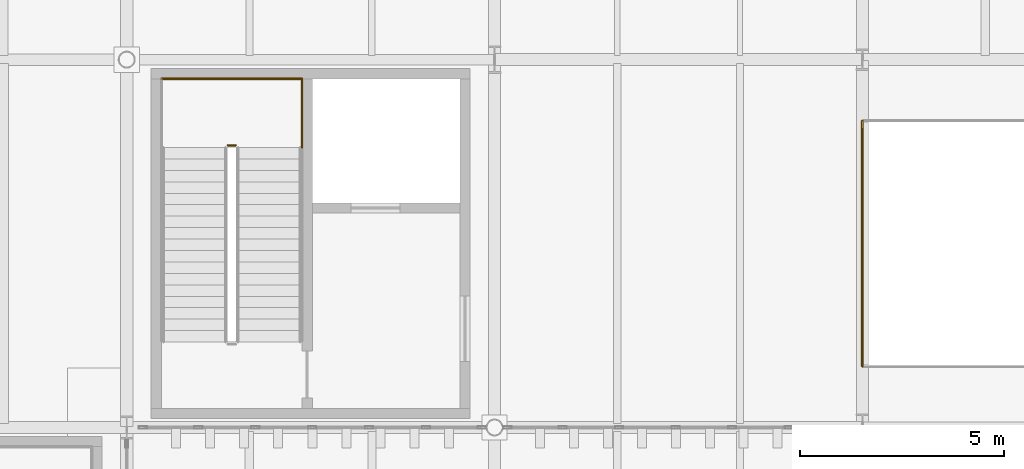
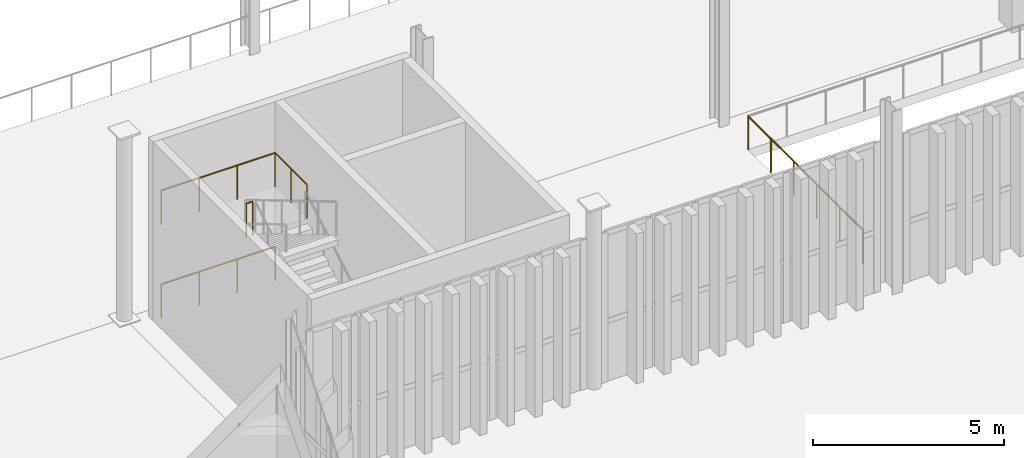
# One storey, part 194 of 211: 5 railings.
"""IFC4 building model written with IfcOpenShell, lengths in metres."""

from ifc_helpers import new_model, si_unit, direction, frame, origin, origin_2d, place, context, subcontext, project, spatial, circle, extrude, material, type_object, element, save


model = new_model("IFC4")

# Units and contexts
model_context = context("Model", 3, precision=1e-05, world=origin(), true_north=direction((0.0, 1.0)))
body_context = subcontext(model_context, "Body", "Model", "MODEL_VIEW")
ifc_project = project(units=[si_unit("LENGTHUNIT", "METRE"), si_unit("AREAUNIT", "SQUARE_METRE"), si_unit("VOLUMEUNIT", "CUBIC_METRE"), si_unit("PLANEANGLEUNIT", "RADIAN"), si_unit("MASSUNIT", "GRAM", prefix="KILO")], contexts=[model_context])

# Site, building, storey
site_placement = place(None, origin())
site = spatial("IfcSite", under=ifc_project, at=site_placement, CompositionType="ELEMENT")
building_placement = place(site_placement, origin())
building = spatial("IfcBuilding", under=site, at=building_placement, Name="Barlavento Convention Centre", CompositionType="ELEMENT")
storey_placement = place(building_placement, frame((0.0, 0.0, 6.0)))
storey = spatial("IfcBuildingStorey", under=building, at=storey_placement, Name="L01", CompositionType="ELEMENT", Elevation=6.0)

# Railings
ifc_material = material(Name="Stainless steel and laminated glass balustrade", Category="steel")
railing_type = type_object("IfcRailingType", Name="ARC-RAL-BAL-1100", PredefinedType="BALUSTRADE", material=ifc_material)
railing_1_placement = place(storey_placement, frame((65.669921875, 51.89990234375, 3.0)))
element("IfcRailing", 1, at=railing_1_placement, inside=storey, type_object=railing_type, Name="L01 ST03 stair guard 2", PredefinedType="BALUSTRADE", context=body_context, shape_type="SweptSolid", body=[
    extrude(circle(Radius=0.02392578125, at=origin_2d()), frame((0.0, 0.0, 1.076171875), z_axis=(-1.0, 0.0, 0.0), x_axis=(0.0, -1.0, 0.0)), (0.0, 0.0, 1.0), 0.199951171875),
    extrude(circle(Radius=0.02099609375, at=origin_2d()), origin(), (0.0, 0.0, 1.0), 1.052001953125),
    extrude(circle(Radius=0.02099609375, at=origin_2d()), frame((-0.199951171875, 0.0, 0.0)), (0.0, 0.0, 1.0), 1.052001953125),
])
railing_2_placement = place(storey_placement, frame((67.2900390625, 51.85009765625, 3.0)))
element("IfcRailing", 2, at=railing_2_placement, inside=storey, type_object=railing_type, Name="L01 landing guard GR01", PredefinedType="BALUSTRADE", context=body_context, shape_type="SweptSolid", body=[
    extrude(circle(Radius=0.02392578125, at=origin_2d()), frame((0.0, 0.0, 1.076171875), z_axis=(0.0, 1.0, 0.0), x_axis=(-1.0, 0.0, 0.0)), (0.0, 0.0, 1.0), 1.679931640625),
    extrude(circle(Radius=0.02099609375, at=origin_2d()), origin(), (0.0, 0.0, 1.0), 1.052001953125),
    extrude(circle(Radius=0.02099609375, at=origin_2d()), frame((0.0, 0.83984375, 0.0)), (0.0, 0.0, 1.0), 1.052001953125),
    extrude(circle(Radius=0.02099609375, at=origin_2d()), frame((0.0, 1.679931640625, 0.0)), (0.0, 0.0, 1.0), 1.052001953125),
])
for number, where, name in (
    (3, (67.2900390625, 53.530029296875, 3.0), "L01 landing guard GR01"),
    (4, (67.2900390625, 53.530029296875, 0.0), "L01 stairwell perimeter guard GR01"),
):
    element("IfcRailing", number, at=place(storey_placement, frame(where)), inside=storey, type_object=railing_type, Name=name, PredefinedType="BALUSTRADE", context=body_context, shape_type="SweptSolid", body=[
        extrude(circle(Radius=0.02392578125, at=origin_2d()), frame((0.0, 0.0, 1.076171875), z_axis=(-1.0, 0.0, 0.0), x_axis=(0.0, -1.0, 0.0)), (0.0, 0.0, 1.0), 3.43994140625),
        extrude(circle(Radius=0.02099609375, at=origin_2d()), origin(), (0.0, 0.0, 1.0), 1.052001953125),
        extrude(circle(Radius=0.02099609375, at=origin_2d()), frame((-1.146728515625, 0.0, 0.0)), (0.0, 0.0, 1.0), 1.052001953125),
        extrude(circle(Radius=0.02099609375, at=origin_2d()), frame((-2.293212890625, 0.0, 0.0)), (0.0, 0.0, 1.0), 1.052001953125),
        extrude(circle(Radius=0.02099609375, at=origin_2d()), frame((-3.43994140625, 0.0, 0.0)), (0.0, 0.0, 1.0), 1.052001953125),
    ])
railing_3_placement = place(storey_placement, frame((81.0, 52.5, 0.0)))
element("IfcRailing", 5, at=railing_3_placement, inside=storey, type_object=railing_type, Name="L01 interior atrium or gallery balustrade GR01", PredefinedType="BALUSTRADE", context=body_context, shape_type="SweptSolid", body=[
    extrude(circle(Radius=0.02392578125, at=origin_2d()), frame((0.0, 0.0, 1.076171875), z_axis=(0.0, -1.0, 0.0), x_axis=(1.0, 0.0, 0.0)), (0.0, 0.0, 1.0), 6.0),
    extrude(circle(Radius=0.02099609375, at=origin_2d()), origin(), (0.0, 0.0, 1.0), 1.052001953125),
    extrude(circle(Radius=0.02099609375, at=origin_2d()), frame((0.0, -1.199951171875, 0.0)), (0.0, 0.0, 1.0), 1.052001953125),
    extrude(circle(Radius=0.02099609375, at=origin_2d()), frame((0.0, -2.39990234375, 0.0)), (0.0, 0.0, 1.0), 1.052001953125),
    extrude(circle(Radius=0.02099609375, at=origin_2d()), frame((0.0, -3.60009765625, 0.0)), (0.0, 0.0, 1.0), 1.052001953125),
    extrude(circle(Radius=0.02099609375, at=origin_2d()), frame((0.0, -4.800048828125, 0.0)), (0.0, 0.0, 1.0), 1.052001953125),
    extrude(circle(Radius=0.02099609375, at=origin_2d()), frame((0.0, -6.0, 0.0)), (0.0, 0.0, 1.0), 1.052001953125),
])

save(model, "model.ifc")
